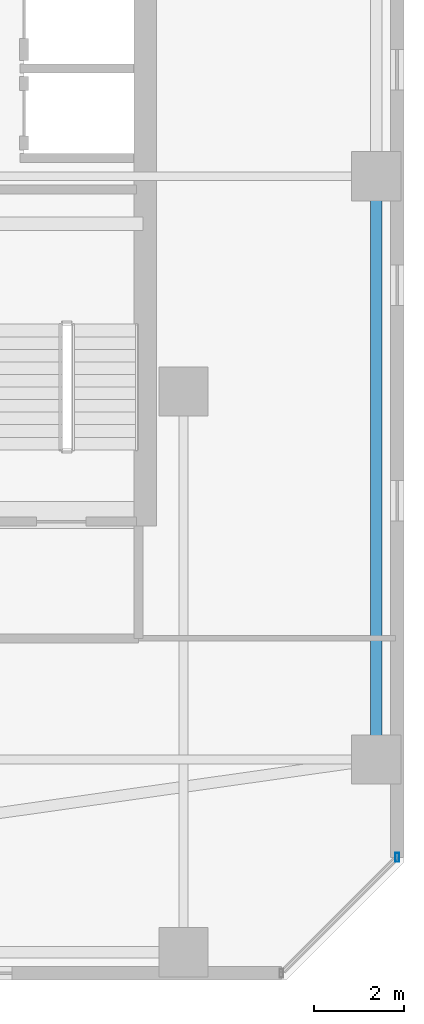
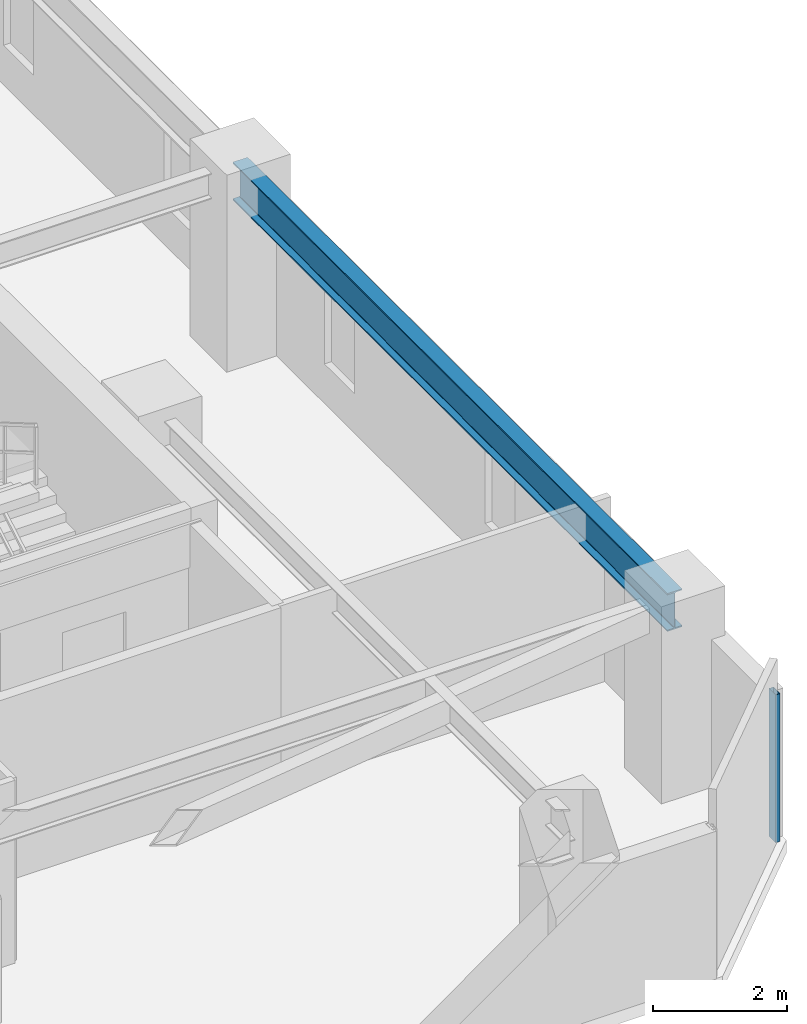
# One storey, part 15 of 33: 1 beam, 1 member, 1 element without a shape of its own.
"""IFC4 building model written with IfcOpenShell, lengths in metres."""

from ifc_helpers import new_model, si_unit, direction, frame, origin, origin_2d, place, context, subcontext, project, spatial, hollow_rectangle, i_section, extrude, material, material_profile, profile_set, type_object, element, aggregate, save


model = new_model("IFC4")

# Units and contexts
model_context = context("Model", 3, precision=1e-05, world=origin(), true_north=direction((0.0, 1.0)))
body_context = subcontext(model_context, "Body", "Model", "MODEL_VIEW")
ifc_project = project(units=[si_unit("LENGTHUNIT", "METRE"), si_unit("AREAUNIT", "SQUARE_METRE"), si_unit("VOLUMEUNIT", "CUBIC_METRE"), si_unit("PLANEANGLEUNIT", "RADIAN"), si_unit("MASSUNIT", "GRAM", prefix="KILO")], contexts=[model_context])

# Site, building, storey
site_placement = place(None, origin())
site = spatial("IfcSite", under=ifc_project, at=site_placement, CompositionType="ELEMENT")
building_placement = place(site_placement, origin())
building = spatial("IfcBuilding", under=site, at=building_placement, Name="Thornwick Lancets Civic Towers", CompositionType="ELEMENT")
storey_placement = place(building_placement, frame((0.0, 0.0, 185.699951171875)))
storey = spatial("IfcBuildingStorey", under=building, at=storey_placement, Name="L49", CompositionType="ELEMENT", Elevation=185.699951171875)

# Beam
ifc_material_1 = material(Name="Steel S355JR", Category="steel")
ifc_material_profile_1 = material_profile(ifc_material_1, i_section(OverallWidth=0.255859375, OverallDepth=0.69287109375, WebThickness=0.014404296875, FlangeThickness=0.023681640625, FilletRadius=0.01513671875, at=origin_2d()), Name="UKB 686x254x170")
ifc_profile_set_1 = profile_set([ifc_material_profile_1], Name="Steel S355JR")
beam_type = type_object("IfcBeamType", Name="BM_GIRD_686_170", PredefinedType="BEAM", material=ifc_profile_set_1)
beam_placement = place(storey_placement, frame((105.800048828125, 14.0, 3.013427734375), z_axis=(0.0, 1.0, 0.0), x_axis=(-1.0, 0.0, 0.0)))
element("IfcBeam", 1, at=beam_placement, inside=storey, type_object=beam_type, Name="BM-SPINE-L49-B-0-1", PredefinedType="BEAM", context=body_context, shape_type="SweptSolid", body=[
    extrude(i_section(OverallWidth=0.255859375, OverallDepth=0.69287109375, WebThickness=0.014404296875, FlangeThickness=0.023681640625, FilletRadius=0.01513671875, at=origin_2d()), origin(), (0.0, 0.0, 1.0), 13.0),
])

# Curtain wall, member
ifc_material_2 = material(Name="Mid-zone chamfered-corner unitised glass curtain wall", Category="glass")
curtain_wall_type = type_object("IfcCurtainWallType", Name="CW_SYS_04", PredefinedType="NOTDEFINED", material=ifc_material_2)
curtain_wall_placement = place(storey_placement, origin())
curtain_wall = element("IfcCurtainWall", 2, at=curtain_wall_placement, inside=storey, type_object=curtain_wall_type, Name="L49 Curtain Wall CW-L49-B-E1", PredefinedType="NOTDEFINED")
ifc_material_3 = material(Name="Thermally broken bronze aluminium S355", Category="steel")
ifc_material_profile_2 = material_profile(ifc_material_3, hollow_rectangle(XDim=0.080078125, YDim=0.199951171875, WallThickness=0.006103515625, at=origin_2d()), Name="RHS 200x80x6")
ifc_profile_set_2 = profile_set([ifc_material_profile_2], Name="Thermally broken bronze aluminium S355")
member_type = type_object("IfcMemberType", Name="CW_MUL_200", PredefinedType="MULLION", material=ifc_profile_set_2)
member_placement = place(storey_placement, frame((106.2646484375, 11.818603515625, 0.0), z_axis=(0.0, 0.0, 1.0), x_axis=(1.0, 0.0, 0.0)))
member = element("IfcMember", 3, at=member_placement, type_object=member_type, Name="CW-L49-B-E1 Mullion 1", PredefinedType="MULLION", context=body_context, shape_type="SweptSolid", body=[
    extrude(hollow_rectangle(XDim=0.080078125, YDim=0.199951171875, WallThickness=0.006103515625, at=origin_2d()), origin(), (0.0, 0.0, 1.0), 2.699951171875),
])
aggregate(curtain_wall, [member])

save(model, "model.ifc")
